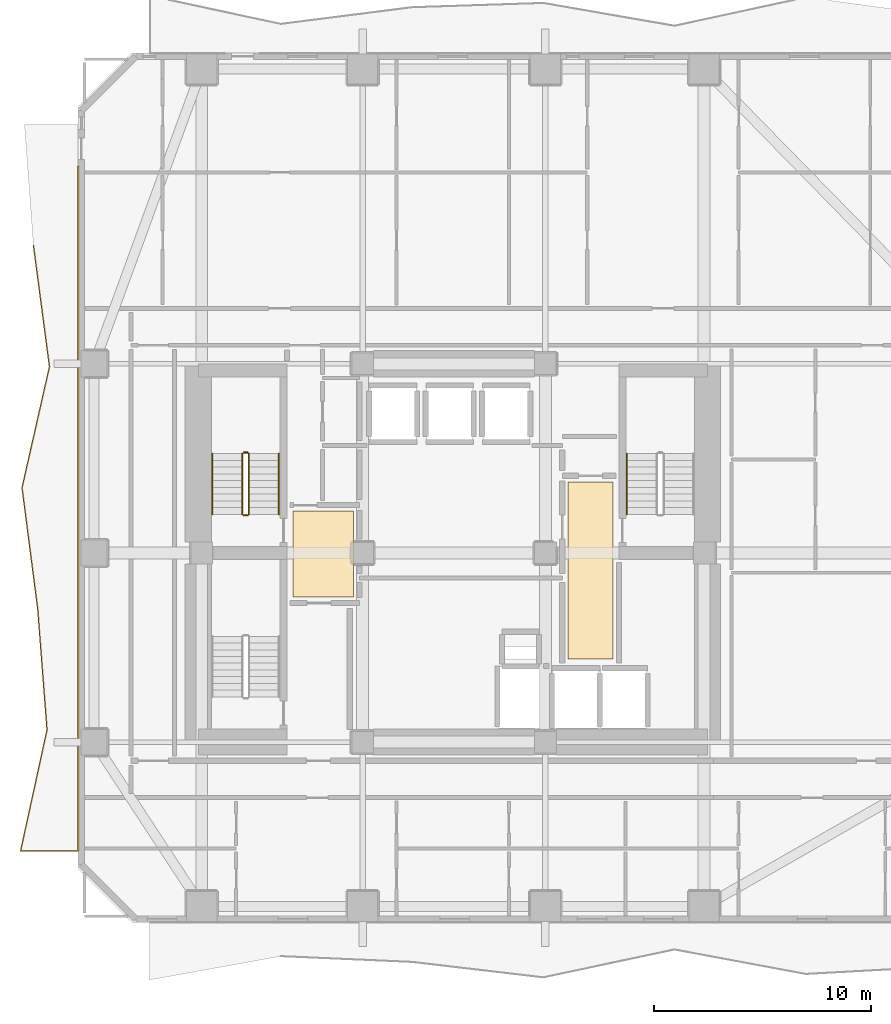
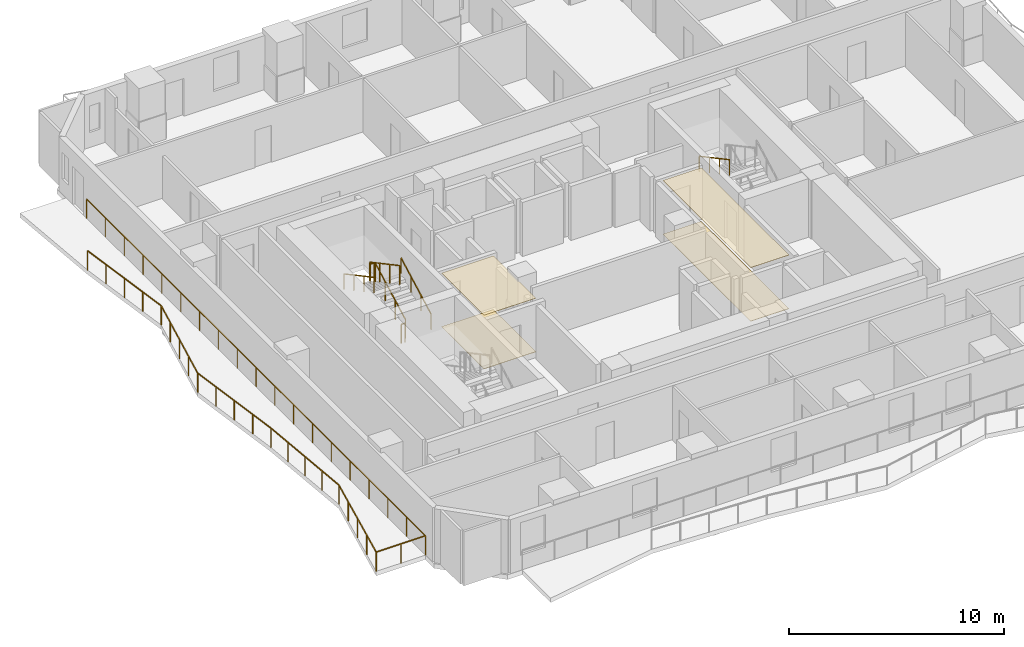
# One storey, part 9 of 11: 8 railings, 4 coverings.
"""IFC4 building model written with IfcOpenShell, lengths in metres."""

from ifc_helpers import new_model, si_unit, direction, frame, origin, origin_2d, place, context, subcontext, project, spatial, polyline, rectangle, outline, extrude, material, layer, layer_set, type_object, element, save


model = new_model("IFC4")

# Units and contexts
model_context = context("Model", 3, precision=1e-05, world=origin(), true_north=direction((0.0, 1.0)))
body_context = subcontext(model_context, "Body", "Model", "MODEL_VIEW")
ifc_project = project(units=[si_unit("LENGTHUNIT", "METRE"), si_unit("AREAUNIT", "SQUARE_METRE"), si_unit("VOLUMEUNIT", "CUBIC_METRE"), si_unit("PLANEANGLEUNIT", "RADIAN"), si_unit("MASSUNIT", "GRAM", prefix="KILO")], contexts=[model_context])

# Site, building, storey
site_placement = place(None, origin())
site = spatial("IfcSite", under=ifc_project, at=site_placement, CompositionType="ELEMENT")
building_placement = place(site_placement, origin())
building = spatial("IfcBuilding", under=site, at=building_placement, Name="Solanera Arch Residences", CompositionType="ELEMENT")
storey_placement = place(building_placement, frame((0.0, 0.0, 71.800048828125)))
storey = spatial("IfcBuildingStorey", under=building, at=storey_placement, Name="L20", CompositionType="ELEMENT", Elevation=71.800048828125)

# Railing
ifc_material_1 = material(Name="Steel S355 (ASTM A992 / A572 Grade 50)", Category="steel")
railing_type_1 = type_object("IfcRailingType", Name="Balustrade Railing BL-1100", PredefinedType="BALUSTRADE", material=ifc_material_1)
railing_1_placement = place(storey_placement, frame((5.657958984375, 44.8330078125, 0.0)))
element("IfcRailing", 1, at=railing_1_placement, inside=storey, type_object=railing_type_1, Name="L20 W Balcony Balustrade 1", PredefinedType="BALUSTRADE", context=body_context, shape_type="SweptSolid", body=[
    extrude(rectangle(XDim=0.048095703125, YDim=0.048095703125, at=origin_2d()), frame((0.0, 0.0, 1.09619140625), z_axis=(0.130935949991, -0.991390829592, 0.0), x_axis=(0.991390829592, 0.130935949991, 0.0)), (0.0, 0.0, 1.0), 5.6142578125),
    extrude(rectangle(XDim=0.048095703125, YDim=0.048095703125, at=origin_2d()), frame((0.735107421875, -5.56591796875, 1.09619140625), z_axis=(-0.220909324265, -0.975294350672, 0.0), x_axis=(0.975294350672, -0.220909324265, 0.0)), (0.0, 0.0, 1.0), 5.708251953125),
    extrude(rectangle(XDim=0.048095703125, YDim=0.048095703125, at=origin_2d()), frame((-0.52587890625, -11.133056640625, 1.09619140625), z_axis=(0.128433627288, -0.991718106813, 0.0), x_axis=(0.991718106813, 0.128433627288, 0.0)), (0.0, 0.0, 1.0), 5.61328125),
    extrude(rectangle(XDim=0.048095703125, YDim=0.048095703125, at=origin_2d()), frame((0.195068359375, -16.699951171875, 1.09619140625), z_axis=(0.076663056349, -0.99705705744, 0.0), x_axis=(0.99705705744, 0.076663056349, 0.0)), (0.0, 0.0, 1.0), 5.58251953125),
    extrude(rectangle(XDim=0.048095703125, YDim=0.048095703125, at=origin_2d()), frame((0.623046875, -22.26611328125, 1.09619140625), z_axis=(-0.213249618178, -0.976997748384, 0.0), x_axis=(0.976997748384, -0.213249618178, 0.0)), (0.0, 0.0, 1.0), 5.697998046875),
    extrude(rectangle(XDim=0.048095703125, YDim=0.048095703125, at=origin_2d()), frame((-0.592041015625, -27.8330078125, 1.09619140625), z_axis=(1.0, 0.0, 0.0), x_axis=(0.0, 1.0, 0.0)), (0.0, 0.0, 1.0), 2.654052734375),
    extrude(rectangle(XDim=0.048095703125, YDim=0.048095703125, at=origin_2d()), frame((2.06201171875, -27.8330078125, 1.09619140625), z_axis=(0.0, 1.0, 0.0), x_axis=(-1.0, 0.0, 0.0)), (0.0, 0.0, 1.0), 31.48388671875),
    extrude(rectangle(XDim=0.0419921875, YDim=0.0419921875, at=origin_2d()), origin(), (0.0, 0.0, 1.0), 1.072021484375),
    extrude(rectangle(XDim=0.0419921875, YDim=0.0419921875, at=origin_2d()), frame((0.183837890625, -1.3916015625, 0.0)), (0.0, 0.0, 1.0), 1.072021484375),
    extrude(rectangle(XDim=0.0419921875, YDim=0.0419921875, at=origin_2d()), frame((0.36767578125, -2.782958984375, 0.0)), (0.0, 0.0, 1.0), 1.072021484375),
    extrude(rectangle(XDim=0.0419921875, YDim=0.0419921875, at=origin_2d()), frame((0.55126953125, -4.17431640625, 0.0)), (0.0, 0.0, 1.0), 1.072021484375),
    extrude(rectangle(XDim=0.0419921875, YDim=0.0419921875, at=origin_2d()), frame((0.735107421875, -5.56591796875, 0.0)), (0.0, 0.0, 1.0), 1.072021484375),
    extrude(rectangle(XDim=0.0419921875, YDim=0.0419921875, at=origin_2d()), frame((0.419921875, -6.957763671875, 0.0)), (0.0, 0.0, 1.0), 1.072021484375),
    extrude(rectangle(XDim=0.0419921875, YDim=0.0419921875, at=origin_2d()), frame((0.1044921875, -8.349609375, 0.0)), (0.0, 0.0, 1.0), 1.072021484375),
    extrude(rectangle(XDim=0.0419921875, YDim=0.0419921875, at=origin_2d()), frame((-0.210693359375, -9.7412109375, 0.0)), (0.0, 0.0, 1.0), 1.072021484375),
    extrude(rectangle(XDim=0.0419921875, YDim=0.0419921875, at=origin_2d()), frame((-0.52587890625, -11.133056640625, 0.0)), (0.0, 0.0, 1.0), 1.072021484375),
    extrude(rectangle(XDim=0.0419921875, YDim=0.0419921875, at=origin_2d()), frame((-0.345703125, -12.52490234375, 0.0)), (0.0, 0.0, 1.0), 1.072021484375),
    extrude(rectangle(XDim=0.0419921875, YDim=0.0419921875, at=origin_2d()), frame((-0.16552734375, -13.91650390625, 0.0)), (0.0, 0.0, 1.0), 1.072021484375),
    extrude(rectangle(XDim=0.0419921875, YDim=0.0419921875, at=origin_2d()), frame((0.014892578125, -15.30810546875, 0.0)), (0.0, 0.0, 1.0), 1.072021484375),
    extrude(rectangle(XDim=0.0419921875, YDim=0.0419921875, at=origin_2d()), frame((0.195068359375, -16.699951171875, 0.0)), (0.0, 0.0, 1.0), 1.072021484375),
    extrude(rectangle(XDim=0.0419921875, YDim=0.0419921875, at=origin_2d()), frame((0.302001953125, -18.091552734375, 0.0)), (0.0, 0.0, 1.0), 1.072021484375),
    extrude(rectangle(XDim=0.0419921875, YDim=0.0419921875, at=origin_2d()), frame((0.4091796875, -19.48291015625, 0.0)), (0.0, 0.0, 1.0), 1.072021484375),
    extrude(rectangle(XDim=0.0419921875, YDim=0.0419921875, at=origin_2d()), frame((0.51611328125, -20.87451171875, 0.0)), (0.0, 0.0, 1.0), 1.072021484375),
    extrude(rectangle(XDim=0.0419921875, YDim=0.0419921875, at=origin_2d()), frame((0.623046875, -22.26611328125, 0.0)), (0.0, 0.0, 1.0), 1.072021484375),
    extrude(rectangle(XDim=0.0419921875, YDim=0.0419921875, at=origin_2d()), frame((0.3193359375, -23.65771484375, 0.0)), (0.0, 0.0, 1.0), 1.072021484375),
    extrude(rectangle(XDim=0.0419921875, YDim=0.0419921875, at=origin_2d()), frame((0.015625, -25.049560546875, 0.0)), (0.0, 0.0, 1.0), 1.072021484375),
    extrude(rectangle(XDim=0.0419921875, YDim=0.0419921875, at=origin_2d()), frame((-0.288330078125, -26.44140625, 0.0)), (0.0, 0.0, 1.0), 1.072021484375),
    extrude(rectangle(XDim=0.0419921875, YDim=0.0419921875, at=origin_2d()), frame((-0.592041015625, -27.8330078125, 0.0)), (0.0, 0.0, 1.0), 1.072021484375),
    extrude(rectangle(XDim=0.0419921875, YDim=0.0419921875, at=origin_2d()), frame((0.73486328125, -27.8330078125, 0.0)), (0.0, 0.0, 1.0), 1.072021484375),
    extrude(rectangle(XDim=0.0419921875, YDim=0.0419921875, at=origin_2d()), frame((2.06201171875, -27.8330078125, 0.0)), (0.0, 0.0, 1.0), 1.072021484375),
    extrude(rectangle(XDim=0.0419921875, YDim=0.0419921875, at=origin_2d()), frame((2.06201171875, -26.083984375, 0.0)), (0.0, 0.0, 1.0), 1.072021484375),
    extrude(rectangle(XDim=0.0419921875, YDim=0.0419921875, at=origin_2d()), frame((2.06201171875, -24.334716796875, 0.0)), (0.0, 0.0, 1.0), 1.072021484375),
    extrude(rectangle(XDim=0.0419921875, YDim=0.0419921875, at=origin_2d()), frame((2.06201171875, -22.585693359375, 0.0)), (0.0, 0.0, 1.0), 1.072021484375),
    extrude(rectangle(XDim=0.0419921875, YDim=0.0419921875, at=origin_2d()), frame((2.06201171875, -20.836669921875, 0.0)), (0.0, 0.0, 1.0), 1.072021484375),
    extrude(rectangle(XDim=0.0419921875, YDim=0.0419921875, at=origin_2d()), frame((2.06201171875, -19.08740234375, 0.0)), (0.0, 0.0, 1.0), 1.072021484375),
    extrude(rectangle(XDim=0.0419921875, YDim=0.0419921875, at=origin_2d()), frame((2.06201171875, -17.33837890625, 0.0)), (0.0, 0.0, 1.0), 1.072021484375),
    extrude(rectangle(XDim=0.0419921875, YDim=0.0419921875, at=origin_2d()), frame((2.06201171875, -15.58935546875, 0.0)), (0.0, 0.0, 1.0), 1.072021484375),
    extrude(rectangle(XDim=0.0419921875, YDim=0.0419921875, at=origin_2d()), frame((2.06201171875, -13.840087890625, 0.0)), (0.0, 0.0, 1.0), 1.072021484375),
    extrude(rectangle(XDim=0.0419921875, YDim=0.0419921875, at=origin_2d()), frame((2.06201171875, -12.091064453125, 0.0)), (0.0, 0.0, 1.0), 1.072021484375),
    extrude(rectangle(XDim=0.0419921875, YDim=0.0419921875, at=origin_2d()), frame((2.06201171875, -10.342041015625, 0.0)), (0.0, 0.0, 1.0), 1.072021484375),
    extrude(rectangle(XDim=0.0419921875, YDim=0.0419921875, at=origin_2d()), frame((2.06201171875, -8.5927734375, 0.0)), (0.0, 0.0, 1.0), 1.072021484375),
    extrude(rectangle(XDim=0.0419921875, YDim=0.0419921875, at=origin_2d()), frame((2.06201171875, -6.84375, 0.0)), (0.0, 0.0, 1.0), 1.072021484375),
    extrude(rectangle(XDim=0.0419921875, YDim=0.0419921875, at=origin_2d()), frame((2.06201171875, -5.0947265625, 0.0)), (0.0, 0.0, 1.0), 1.072021484375),
    extrude(rectangle(XDim=0.0419921875, YDim=0.0419921875, at=origin_2d()), frame((2.06201171875, -3.345458984375, 0.0)), (0.0, 0.0, 1.0), 1.072021484375),
    extrude(rectangle(XDim=0.0419921875, YDim=0.0419921875, at=origin_2d()), frame((2.06201171875, -1.596435546875, 0.0)), (0.0, 0.0, 1.0), 1.072021484375),
    extrude(rectangle(XDim=0.0419921875, YDim=0.0419921875, at=origin_2d()), frame((2.06201171875, 0.152587890625, 0.0)), (0.0, 0.0, 1.0), 1.072021484375),
    extrude(rectangle(XDim=0.0419921875, YDim=0.0419921875, at=origin_2d()), frame((2.06201171875, 1.90185546875, 0.0)), (0.0, 0.0, 1.0), 1.072021484375),
    extrude(rectangle(XDim=0.0419921875, YDim=0.0419921875, at=origin_2d()), frame((2.06201171875, 3.65087890625, 0.0)), (0.0, 0.0, 1.0), 1.072021484375),
])

# Coverings
ifc_material_2 = material(Name="Porcelain Acoustic Floor Tile", Category="ceramic")
ifc_layer_1 = layer(ifc_material_2, 0.02001953125)
ifc_layer_set_1 = layer_set([ifc_layer_1], Name="Porcelain Acoustic Floor Tile")
covering_type_1 = type_object("IfcCoveringType", Name="Porcelain Acoustic Floor Finish FLR-20", PredefinedType="FLOORING", material=ifc_layer_set_1)
covering_1_placement = place(storey_placement, origin())
element("IfcCovering", 2, at=covering_1_placement, inside=storey, type_object=covering_type_1, Name="L20-FFL-W Porcelain Floor Finish", PredefinedType="FLOORING", context=body_context, shape_type="SweptSolid", body=[
    extrude(outline(polyline([(20.375, 28.675048828125), (17.594970703125, 28.675048828125), (17.594970703125, 32.625), (20.375, 32.625), (20.375, 28.675048828125)])), origin(), (0.0, 0.0, 1.0), 0.02001953125),
])
covering_2_placement = place(storey_placement, origin())
element("IfcCovering", 3, at=covering_2_placement, inside=storey, type_object=covering_type_1, Name="L20-FFL-E Porcelain Floor Finish", PredefinedType="FLOORING", context=body_context, shape_type="SweptSolid", body=[
    extrude(outline(polyline([(32.304931640625, 25.824951171875), (30.25, 25.824951171875), (30.25, 33.97509765625), (32.304931640625, 33.97509765625), (32.304931640625, 25.824951171875)])), origin(), (0.0, 0.0, 1.0), 0.02001953125),
])

# Railings
ifc_material_3 = material(Name="Steel S355 (ASTM A992 / A572 Grade 50)", Category="steel")
railing_type_2 = type_object("IfcRailingType", Name="Stair Guardrail GR-1100", PredefinedType="GUARDRAIL", material=ifc_material_3)
railing_2_placement = place(storey_placement, frame((15.570068359375, 32.47998046875, 0.15087890625)))
element("IfcRailing", 4, at=railing_2_placement, inside=storey, type_object=railing_type_2, Name="L20 ST-T1 stair guard 1", PredefinedType="GUARDRAIL", context=body_context, shape_type="SweptSolid", body=[
    extrude(rectangle(XDim=0.048095703125, YDim=0.048095703125, at=origin_2d()), frame((0.0, 0.0, 1.076171875), z_axis=(0.0, 0.881548766853, 0.472092969298), x_axis=(-1.0, 0.0, 0.0)), (0.0, 0.0, 1.0), 3.1650390625),
    extrude(rectangle(XDim=0.0419921875, YDim=0.0419921875, at=origin_2d()), origin(), (0.0, 0.0, 1.0), 1.052001953125),
    extrude(rectangle(XDim=0.0419921875, YDim=0.0419921875, at=origin_2d()), frame((0.0, 0.929931640625, 0.498046875)), (0.0, 0.0, 1.0), 1.052001953125),
    extrude(rectangle(XDim=0.0419921875, YDim=0.0419921875, at=origin_2d()), frame((0.0, 1.860107421875, 0.99609375)), (0.0, 0.0, 1.0), 1.052001953125),
    extrude(rectangle(XDim=0.0419921875, YDim=0.0419921875, at=origin_2d()), frame((0.0, 2.7900390625, 1.494140625)), (0.0, 0.0, 1.0), 1.052001953125),
])
railing_3_placement = place(storey_placement, frame((15.52001953125, 35.320068359375, 1.64501953125)))
element("IfcRailing", 5, at=railing_3_placement, inside=storey, type_object=railing_type_2, Name="L20 ST-T1 stair guard 2", PredefinedType="GUARDRAIL", context=body_context, shape_type="SweptSolid", body=[
    extrude(rectangle(XDim=0.048095703125, YDim=0.048095703125, at=origin_2d()), frame((0.0, 0.0, 1.076171875), z_axis=(-1.0, 0.0, 0.0), x_axis=(0.0, -1.0, 0.0)), (0.0, 0.0, 1.0), 0.199951171875),
    extrude(rectangle(XDim=0.0419921875, YDim=0.0419921875, at=origin_2d()), origin(), (0.0, 0.0, 1.0), 1.052001953125),
    extrude(rectangle(XDim=0.0419921875, YDim=0.0419921875, at=origin_2d()), frame((-0.199951171875, 0.0, 0.0)), (0.0, 0.0, 1.0), 1.052001953125),
])
railing_4_placement = place(storey_placement, frame((15.27001953125, 35.27001953125, 1.81103515625)))
element("IfcRailing", 6, at=railing_4_placement, inside=storey, type_object=railing_type_2, Name="L20 ST-T1 stair guard 3", PredefinedType="GUARDRAIL", context=body_context, shape_type="SweptSolid", body=[
    extrude(rectangle(XDim=0.048095703125, YDim=0.048095703125, at=origin_2d()), frame((0.0, 0.0, 1.076171875), z_axis=(0.0, -0.881580869306, 0.472033018838), x_axis=(1.0, 0.0, 0.0)), (0.0, 0.0, 1.0), 3.164794921875),
    extrude(rectangle(XDim=0.0419921875, YDim=0.0419921875, at=origin_2d()), origin(), (0.0, 0.0, 1.0), 1.052001953125),
    extrude(rectangle(XDim=0.0419921875, YDim=0.0419921875, at=origin_2d()), frame((0.0, -0.929931640625, 0.498046875)), (0.0, 0.0, 1.0), 1.052001953125),
    extrude(rectangle(XDim=0.0419921875, YDim=0.0419921875, at=origin_2d()), frame((0.0, -1.860107421875, 0.995849609375)), (0.0, 0.0, 1.0), 1.052001953125),
    extrude(rectangle(XDim=0.0419921875, YDim=0.0419921875, at=origin_2d()), frame((0.0, -2.7900390625, 1.493896484375)), (0.0, 0.0, 1.0), 1.052001953125),
])
railing_5_placement = place(storey_placement, frame((15.52001953125, 32.429931640625, -0.01513671875)))
element("IfcRailing", 7, at=railing_5_placement, inside=storey, type_object=railing_type_2, Name="L20 ST-T1 stair guard 4", PredefinedType="GUARDRAIL", context=body_context, shape_type="SweptSolid", body=[
    extrude(rectangle(XDim=0.048095703125, YDim=0.048095703125, at=origin_2d()), frame((0.0, 0.0, 1.076171875), z_axis=(-1.0, 0.0, 0.0), x_axis=(0.0, -1.0, 0.0)), (0.0, 0.0, 1.0), 0.199951171875),
    extrude(rectangle(XDim=0.0419921875, YDim=0.0419921875, at=origin_2d()), origin(), (0.0, 0.0, 1.0), 1.052001953125),
    extrude(rectangle(XDim=0.0419921875, YDim=0.0419921875, at=origin_2d()), frame((-0.199951171875, 0.0, 0.0)), (0.0, 0.0, 1.0), 1.052001953125),
])
ifc_material_4 = material(Name="Steel S355 (ASTM A992 / A572 Grade 50)", Category="steel")
railing_type_3 = type_object("IfcRailingType", Name="Stair Wall Handrail HR-920", PredefinedType="HANDRAIL", material=ifc_material_4)
railing_6_placement = place(storey_placement, frame((16.949951171875, 32.47998046875, 0.166015625)))
element("IfcRailing", 8, at=railing_6_placement, inside=storey, type_object=railing_type_3, Name="L20 ST-T1 stair handrail 1", PredefinedType="HANDRAIL", context=body_context, shape_type="SweptSolid", body=[
    extrude(rectangle(XDim=0.048095703125, YDim=0.048095703125, at=origin_2d()), frame((0.0, 0.0, 0.8759765625), z_axis=(0.0, 0.881580869306, 0.472033018838), x_axis=(-1.0, 0.0, 0.0)), (0.0, 0.0, 1.0), 3.164794921875),
    extrude(rectangle(XDim=0.0419921875, YDim=0.0419921875, at=origin_2d()), origin(), (0.0, 0.0, 1.0), 0.851806640625),
    extrude(rectangle(XDim=0.0419921875, YDim=0.0419921875, at=origin_2d()), frame((0.0, 0.929931640625, 0.498046875)), (0.0, 0.0, 1.0), 0.851806640625),
    extrude(rectangle(XDim=0.0419921875, YDim=0.0419921875, at=origin_2d()), frame((0.0, 1.860107421875, 0.995849609375)), (0.0, 0.0, 1.0), 0.851806640625),
    extrude(rectangle(XDim=0.0419921875, YDim=0.0419921875, at=origin_2d()), frame((0.0, 2.7900390625, 1.493896484375)), (0.0, 0.0, 1.0), 0.851806640625),
])
for number, where, name in (
    (9, (13.889892578125, 35.27001953125, 1.825927734375), "L20 ST-T1 stair handrail 2"),
    (10, (32.949951171875, 35.27001953125, 1.825927734375), "L20 ST-T2 stair handrail 2"),
):
    element("IfcRailing", number, at=place(storey_placement, frame(where)), inside=storey, type_object=railing_type_3, Name=name, PredefinedType="HANDRAIL", context=body_context, shape_type="SweptSolid", body=[
        extrude(rectangle(XDim=0.048095703125, YDim=0.048095703125, at=origin_2d()), frame((0.0, 0.0, 0.8759765625), z_axis=(0.0, -0.881548766853, 0.472092969298), x_axis=(1.0, 0.0, 0.0)), (0.0, 0.0, 1.0), 3.1650390625),
        extrude(rectangle(XDim=0.0419921875, YDim=0.0419921875, at=origin_2d()), origin(), (0.0, 0.0, 1.0), 0.851806640625),
        extrude(rectangle(XDim=0.0419921875, YDim=0.0419921875, at=origin_2d()), frame((0.0, -0.929931640625, 0.498046875)), (0.0, 0.0, 1.0), 0.851806640625),
        extrude(rectangle(XDim=0.0419921875, YDim=0.0419921875, at=origin_2d()), frame((0.0, -1.860107421875, 0.99609375)), (0.0, 0.0, 1.0), 0.851806640625),
        extrude(rectangle(XDim=0.0419921875, YDim=0.0419921875, at=origin_2d()), frame((0.0, -2.7900390625, 1.494140625)), (0.0, 0.0, 1.0), 0.851806640625),
    ])

# Coverings
ifc_material_5 = material(Name="Mineral Fibre Acoustic Ceiling Board", Category="gypsum")
ifc_layer_2 = layer(ifc_material_5, 0.02490234375)
ifc_layer_set_2 = layer_set([ifc_layer_2], Name="Mineral Fibre Acoustic Ceiling Board")
covering_type_2 = type_object("IfcCoveringType", Name="Suspended Acoustic Ceiling Board CLG-25", PredefinedType="CEILING", material=ifc_layer_set_2)
covering_3_placement = place(storey_placement, frame((0.0, 0.0, 3.034912109375)))
element("IfcCovering", 11, at=covering_3_placement, inside=storey, type_object=covering_type_2, Name="L20-FFL-W Acoustic Ceiling", PredefinedType="CEILING", context=body_context, shape_type="SweptSolid", body=[
    extrude(outline(polyline([(20.375, 28.675048828125), (17.594970703125, 28.675048828125), (17.594970703125, 32.625), (20.375, 32.625), (20.375, 28.675048828125)])), origin(), (0.0, 0.0, 1.0), 0.025146484375),
])
covering_4_placement = place(storey_placement, frame((0.0, 0.0, 3.034912109375)))
element("IfcCovering", 12, at=covering_4_placement, inside=storey, type_object=covering_type_2, Name="L20-FFL-E Acoustic Ceiling", PredefinedType="CEILING", context=body_context, shape_type="SweptSolid", body=[
    extrude(outline(polyline([(32.304931640625, 25.824951171875), (30.25, 25.824951171875), (30.25, 33.97509765625), (32.304931640625, 33.97509765625), (32.304931640625, 25.824951171875)])), origin(), (0.0, 0.0, 1.0), 0.025146484375),
])

save(model, "model.ifc")
